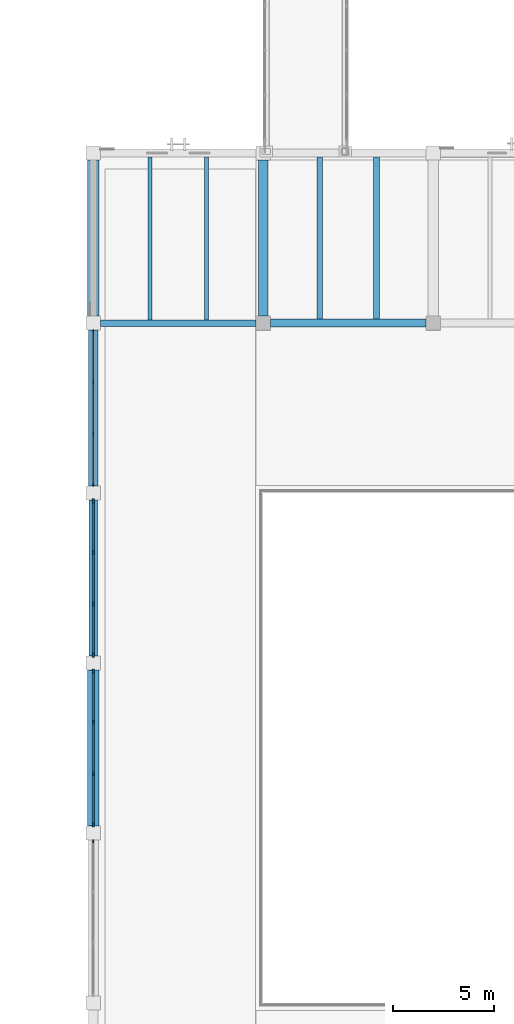
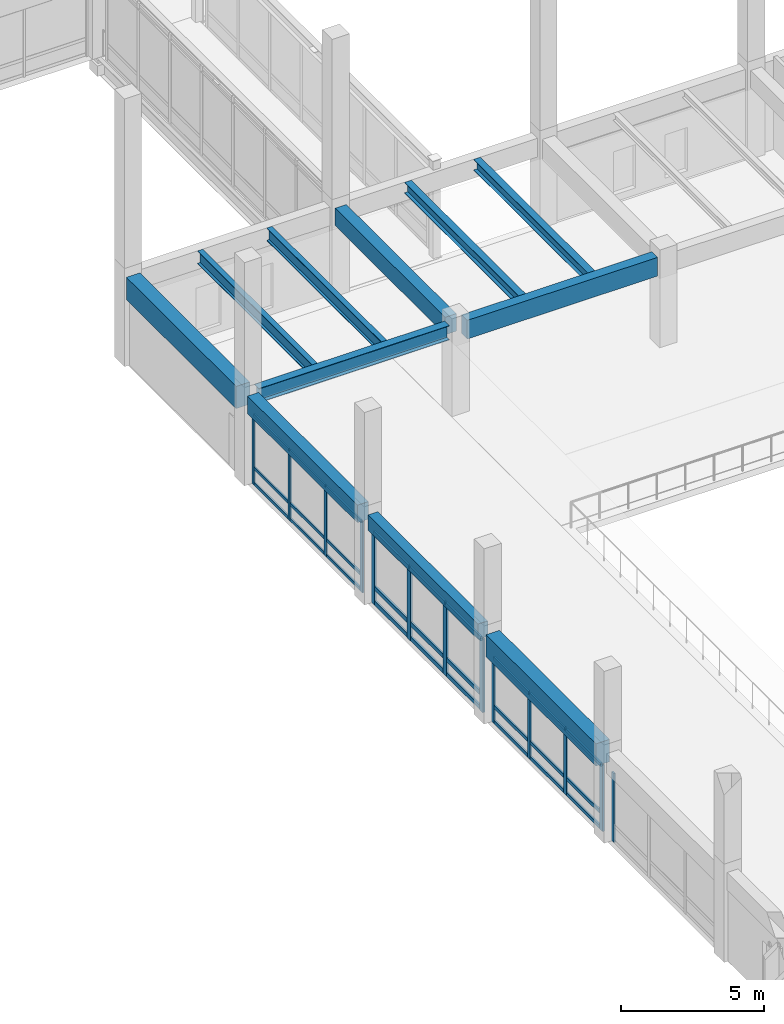
# One storey, part 54 of 132: 40 members, 11 beams, 4 elements without a shape of their own.
"""IFC4 building model written with IfcOpenShell, lengths in metres."""

from ifc_helpers import new_model, si_unit, direction, frame, origin, origin_2d, place, context, subcontext, project, spatial, rectangle, i_section, extrude, material, material_profile, profile_set, type_object, element, aggregate, save


model = new_model("IFC4")

# Units and contexts
model_context = context("Model", 3, precision=1e-05, world=origin(), true_north=direction((0.0, 1.0)))
body_context = subcontext(model_context, "Body", "Model", "MODEL_VIEW")
ifc_project = project(units=[si_unit("LENGTHUNIT", "METRE"), si_unit("AREAUNIT", "SQUARE_METRE"), si_unit("VOLUMEUNIT", "CUBIC_METRE"), si_unit("PLANEANGLEUNIT", "RADIAN"), si_unit("MASSUNIT", "GRAM", prefix="KILO")], contexts=[model_context])

# Site, building, storey
site_placement = place(None, origin())
site = spatial("IfcSite", under=ifc_project, at=site_placement, CompositionType="ELEMENT")
building_placement = place(site_placement, origin())
building = spatial("IfcBuilding", under=site, at=building_placement, Name="Cumbredor Promenade Congress Hotel", CompositionType="ELEMENT")
storey_placement = place(building_placement, frame((0.0, 0.0, 7.56005859375)))
storey = spatial("IfcBuildingStorey", under=building, at=storey_placement, Name="L02", CompositionType="ELEMENT", Elevation=7.56005859375)

# Beams
ifc_material_1 = material(Name="Concrete C40/50", Category="concrete")
ifc_material_profile_1 = material_profile(ifc_material_1, rectangle(XDim=0.39990234375, YDim=0.64990234375, at=origin_2d()), Name="RC BEAM 400x650")
ifc_profile_set_1 = profile_set([ifc_material_profile_1], Name="Concrete C40/50")
beam_type_1 = type_object("IfcBeamType", Name="BM-RC-400x650", PredefinedType="BEAM", material=ifc_profile_set_1)
beam_1_placement = place(storey_placement, frame((142.800048828125, 42.35009765625, 3.474853515625), z_axis=(0.0, 1.0, 0.0), x_axis=(-1.0, 0.0, 0.0)))
element("IfcBeam", 1, at=beam_1_placement, inside=storey, type_object=beam_type_1, Name="L03 Y-Grid Beam 192", PredefinedType="BEAM", context=body_context, shape_type="SweptSolid", body=[
    extrude(rectangle(XDim=0.39990234375, YDim=0.64990234375, at=origin_2d()), origin(), (0.0, 0.0, 1.0), 7.699951171875),
])
ifc_material_profile_2 = material_profile(ifc_material_1, rectangle(XDim=0.449951171875, YDim=0.75, at=origin_2d()), Name="RC BEAM 450x750")
ifc_profile_set_2 = profile_set([ifc_material_profile_2], Name="Concrete C40/50")
beam_type_2 = type_object("IfcBeamType", Name="BM-RC-450x750", PredefinedType="BEAM", material=ifc_profile_set_2)
beam_2_placement = place(storey_placement, frame((142.800048828125, 50.75, 3.425048828125), z_axis=(0.0, 1.0, 0.0), x_axis=(-1.0, 0.0, 0.0)))
element("IfcBeam", 2, at=beam_2_placement, inside=storey, type_object=beam_type_2, Name="L03 Y-Grid Beam 193", PredefinedType="BEAM", context=body_context, shape_type="SweptSolid", body=[
    extrude(rectangle(XDim=0.449951171875, YDim=0.75, at=origin_2d()), origin(), (0.0, 0.0, 1.0), 7.699951171875),
])
beam_3_placement = place(storey_placement, frame((151.199951171875, 59.14990234375, 3.425048828125), z_axis=(0.0, 1.0, 0.0), x_axis=(-1.0, 0.0, 0.0)))
element("IfcBeam", 3, at=beam_3_placement, inside=storey, type_object=beam_type_2, Name="L03 Y-Grid Beam 205", PredefinedType="BEAM", context=body_context, shape_type="SweptSolid", body=[
    extrude(rectangle(XDim=0.449951171875, YDim=0.75, at=origin_2d()), origin(), (0.0, 0.0, 1.0), 7.7001953125),
])
ifc_material_profile_3 = material_profile(ifc_material_1, rectangle(XDim=0.550048828125, YDim=0.949951171875, at=origin_2d()), Name="RC BEAM 550x950")
ifc_profile_set_3 = profile_set([ifc_material_profile_3], Name="Concrete C40/50")
beam_type_3 = type_object("IfcBeamType", Name="BM-RC-550x950", PredefinedType="BEAM", material=ifc_profile_set_3)
beam_4_placement = place(storey_placement, frame((142.800048828125, 33.949951171875, 3.324951171875), z_axis=(0.0, 1.0, 0.0), x_axis=(-1.0, 0.0, 0.0)))
element("IfcBeam", 4, at=beam_4_placement, inside=storey, type_object=beam_type_3, Name="L03 Y-Grid Beam 191", PredefinedType="BEAM", context=body_context, shape_type="SweptSolid", body=[
    extrude(rectangle(XDim=0.550048828125, YDim=0.949951171875, at=origin_2d()), origin(), (0.0, 0.0, 1.0), 7.699951171875),
])
beam_5_placement = place(storey_placement, frame((142.800048828125, 59.14990234375, 3.324951171875), z_axis=(0.0, 1.0, 0.0), x_axis=(-1.0, 0.0, 0.0)))
element("IfcBeam", 5, at=beam_5_placement, inside=storey, type_object=beam_type_3, Name="L03 Y-Grid Beam 195", PredefinedType="BEAM", context=body_context, shape_type="SweptSolid", body=[
    extrude(rectangle(XDim=0.550048828125, YDim=0.949951171875, at=origin_2d()), origin(), (0.0, 0.0, 1.0), 7.7001953125),
])
ifc_material_2 = material(Name="Steel ASTM A992 Grade 50", Category="steel")
ifc_material_profile_4 = material_profile(ifc_material_2, i_section(OverallWidth=0.323974609375, OverallDepth=0.611083984375, WebThickness=0.0126953125, FlangeThickness=0.01904296875, at=origin_2d()), Name="W24X104")
ifc_profile_set_4 = profile_set([ifc_material_profile_4], Name="Steel ASTM A992 Grade 50")
beam_type_4 = type_object("IfcBeamType", Name="BM-W24X104", PredefinedType="BEAM", material=ifc_profile_set_4)
beam_6_placement = place(storey_placement, frame((143.14990234375, 58.800048828125, 3.494384765625), z_axis=(1.0, 0.0, 0.0), x_axis=(0.0, 1.0, 0.0)))
element("IfcBeam", 6, at=beam_6_placement, inside=storey, type_object=beam_type_4, Name="L03 X-Grid Beam 194", PredefinedType="BEAM", context=body_context, shape_type="SweptSolid", body=[
    extrude(i_section(OverallWidth=0.323974609375, OverallDepth=0.611083984375, WebThickness=0.0126953125, FlangeThickness=0.01904296875, at=origin_2d()), origin(), (0.0, 0.0, 1.0), 7.7001953125),
])

# Curtain wall, member
ifc_material_3 = material(Name="Thermally broken anodized aluminium and low-E glass", Category="aluminium")
curtain_wall_type = type_object("IfcCurtainWallType", Name="Unitised Bronze Curtain Wall CW-01", PredefinedType="NOTDEFINED", material=ifc_material_3)
curtain_wall_1_placement = place(storey_placement, origin())
curtain_wall_1 = element("IfcCurtainWall", 7, at=curtain_wall_1_placement, inside=storey, type_object=curtain_wall_type, Name="L02 Grand Ballroom Pavilion West Curtain Wall 3", PredefinedType="NOTDEFINED")
ifc_material_4 = material(Name="Thermally broken anodized aluminium", Category="aluminium")
ifc_material_profile_5 = material_profile(ifc_material_4, rectangle(XDim=0.06494140625, YDim=0.159912109375, at=origin_2d()), Name="ALU MULLION 65x160")
ifc_profile_set_5 = profile_set([ifc_material_profile_5], Name="Thermally broken anodized aluminium")
member_type_1 = type_object("IfcMemberType", Name="Curtain Wall Mullion ML-01", PredefinedType="MULLION", material=ifc_profile_set_5)
member_1_placement = place(storey_placement, frame((142.800048828125, 33.195068359375, -0.008056640625), z_axis=(0.0, 0.0, 1.0), x_axis=(1.0, 0.0, 0.0)))
member_1 = element("IfcMember", 8, at=member_1_placement, type_object=member_type_1, Name="L02 Grand Ballroom Pavilion West Curtain Wall 3 Mullion 4", PredefinedType="MULLION", context=body_context, shape_type="SweptSolid", body=[
    extrude(rectangle(XDim=0.06494140625, YDim=0.159912109375, at=origin_2d()), origin(), (0.0, 0.0, 1.0), 2.950927734375),
])
aggregate(curtain_wall_1, [member_1])

# Curtain wall, members
curtain_wall_2_placement = place(storey_placement, origin())
curtain_wall_2 = element("IfcCurtainWall", 9, at=curtain_wall_2_placement, inside=storey, type_object=curtain_wall_type, Name="L02 Grand Ballroom Pavilion West Curtain Wall 6", PredefinedType="NOTDEFINED")
member_2_placement = place(storey_placement, frame((142.800048828125, 50.804931640625, -0.008056640625), z_axis=(0.0, 0.0, 1.0), x_axis=(1.0, 0.0, 0.0)))
member_2 = element("IfcMember", 10, at=member_2_placement, type_object=member_type_1, Name="L02 Grand Ballroom Pavilion West Curtain Wall 6 Mullion 1", PredefinedType="MULLION", context=body_context, shape_type="SweptSolid", body=[
    extrude(rectangle(XDim=0.06494140625, YDim=0.159912109375, at=origin_2d()), origin(), (0.0, 0.0, 1.0), 3.051025390625),
])
member_3_placement = place(storey_placement, frame((142.800048828125, 53.3349609375, -0.008056640625), z_axis=(0.0, 0.0, 1.0), x_axis=(1.0, 0.0, 0.0)))
member_3 = element("IfcMember", 11, at=member_3_placement, type_object=member_type_1, Name="L02 Grand Ballroom Pavilion West Curtain Wall 6 Mullion 2", PredefinedType="MULLION", context=body_context, shape_type="SweptSolid", body=[
    extrude(rectangle(XDim=0.06494140625, YDim=0.159912109375, at=origin_2d()), origin(), (0.0, 0.0, 1.0), 3.051025390625),
])
member_4_placement = place(storey_placement, frame((142.800048828125, 55.864990234375, -0.008056640625), z_axis=(0.0, 0.0, 1.0), x_axis=(1.0, 0.0, 0.0)))
member_4 = element("IfcMember", 12, at=member_4_placement, type_object=member_type_1, Name="L02 Grand Ballroom Pavilion West Curtain Wall 6 Mullion 3", PredefinedType="MULLION", context=body_context, shape_type="SweptSolid", body=[
    extrude(rectangle(XDim=0.06494140625, YDim=0.159912109375, at=origin_2d()), origin(), (0.0, 0.0, 1.0), 3.051025390625),
])
member_5_placement = place(storey_placement, frame((142.800048828125, 58.39501953125, -0.008056640625), z_axis=(0.0, 0.0, 1.0), x_axis=(1.0, 0.0, 0.0)))
member_5 = element("IfcMember", 13, at=member_5_placement, type_object=member_type_1, Name="L02 Grand Ballroom Pavilion West Curtain Wall 6 Mullion 4", PredefinedType="MULLION", context=body_context, shape_type="SweptSolid", body=[
    extrude(rectangle(XDim=0.06494140625, YDim=0.159912109375, at=origin_2d()), origin(), (0.0, 0.0, 1.0), 3.051025390625),
])

curtain_wall_3_placement = place(storey_placement, origin())
curtain_wall_3 = element("IfcCurtainWall", 14, at=curtain_wall_3_placement, inside=storey, type_object=curtain_wall_type, Name="L02 Grand Ballroom Pavilion West Curtain Wall 4", PredefinedType="NOTDEFINED")
ifc_material_profile_6 = material_profile(ifc_material_4, rectangle(XDim=0.074951171875, YDim=0.199951171875, at=origin_2d()), Name="ALU MULLION 75x200")
ifc_profile_set_6 = profile_set([ifc_material_profile_6], Name="Thermally broken anodized aluminium")
member_type_2 = type_object("IfcMemberType", Name="Curtain Wall Mullion ML-02", PredefinedType="MULLION", material=ifc_profile_set_6)
member_6_placement = place(storey_placement, frame((142.800048828125, 34.0048828125, -0.008056640625), z_axis=(0.0, 0.0, 1.0), x_axis=(1.0, 0.0, 0.0)))
member_6 = element("IfcMember", 15, at=member_6_placement, type_object=member_type_2, Name="L02 Grand Ballroom Pavilion West Curtain Wall 4 Mullion 1", PredefinedType="MULLION", context=body_context, shape_type="SweptSolid", body=[
    extrude(rectangle(XDim=0.074951171875, YDim=0.199951171875, at=origin_2d()), origin(), (0.0, 0.0, 1.0), 2.85107421875),
])
member_7_placement = place(storey_placement, frame((142.800048828125, 36.534912109375, -0.008056640625), z_axis=(0.0, 0.0, 1.0), x_axis=(1.0, 0.0, 0.0)))
member_7 = element("IfcMember", 16, at=member_7_placement, type_object=member_type_2, Name="L02 Grand Ballroom Pavilion West Curtain Wall 4 Mullion 2", PredefinedType="MULLION", context=body_context, shape_type="SweptSolid", body=[
    extrude(rectangle(XDim=0.074951171875, YDim=0.199951171875, at=origin_2d()), origin(), (0.0, 0.0, 1.0), 2.85107421875),
])
member_8_placement = place(storey_placement, frame((142.800048828125, 39.06494140625, -0.008056640625), z_axis=(0.0, 0.0, 1.0), x_axis=(1.0, 0.0, 0.0)))
member_8 = element("IfcMember", 17, at=member_8_placement, type_object=member_type_2, Name="L02 Grand Ballroom Pavilion West Curtain Wall 4 Mullion 3", PredefinedType="MULLION", context=body_context, shape_type="SweptSolid", body=[
    extrude(rectangle(XDim=0.074951171875, YDim=0.199951171875, at=origin_2d()), origin(), (0.0, 0.0, 1.0), 2.85107421875),
])
member_9_placement = place(storey_placement, frame((142.800048828125, 41.594970703125, -0.008056640625), z_axis=(0.0, 0.0, 1.0), x_axis=(1.0, 0.0, 0.0)))
member_9 = element("IfcMember", 18, at=member_9_placement, type_object=member_type_2, Name="L02 Grand Ballroom Pavilion West Curtain Wall 4 Mullion 4", PredefinedType="MULLION", context=body_context, shape_type="SweptSolid", body=[
    extrude(rectangle(XDim=0.074951171875, YDim=0.199951171875, at=origin_2d()), origin(), (0.0, 0.0, 1.0), 2.85107421875),
])

curtain_wall_4_placement = place(storey_placement, origin())
curtain_wall_4 = element("IfcCurtainWall", 19, at=curtain_wall_4_placement, inside=storey, type_object=curtain_wall_type, Name="L02 Grand Ballroom Pavilion West Curtain Wall 5", PredefinedType="NOTDEFINED")
ifc_material_profile_7 = material_profile(ifc_material_4, rectangle(XDim=0.080078125, YDim=0.239990234375, at=origin_2d()), Name="ALU MULLION 80x240")
ifc_profile_set_7 = profile_set([ifc_material_profile_7], Name="Thermally broken anodized aluminium")
member_type_3 = type_object("IfcMemberType", Name="Curtain Wall Mullion ML-03", PredefinedType="MULLION", material=ifc_profile_set_7)
member_10_placement = place(storey_placement, frame((142.800048828125, 42.405029296875, -0.008056640625), z_axis=(0.0, 0.0, 1.0), x_axis=(1.0, 0.0, 0.0)))
member_10 = element("IfcMember", 20, at=member_10_placement, type_object=member_type_3, Name="L02 Grand Ballroom Pavilion West Curtain Wall 5 Mullion 1", PredefinedType="MULLION", context=body_context, shape_type="SweptSolid", body=[
    extrude(rectangle(XDim=0.080078125, YDim=0.239990234375, at=origin_2d()), origin(), (0.0, 0.0, 1.0), 3.15087890625),
])
member_11_placement = place(storey_placement, frame((142.800048828125, 44.93505859375, -0.008056640625), z_axis=(0.0, 0.0, 1.0), x_axis=(1.0, 0.0, 0.0)))
member_11 = element("IfcMember", 21, at=member_11_placement, type_object=member_type_3, Name="L02 Grand Ballroom Pavilion West Curtain Wall 5 Mullion 2", PredefinedType="MULLION", context=body_context, shape_type="SweptSolid", body=[
    extrude(rectangle(XDim=0.080078125, YDim=0.239990234375, at=origin_2d()), origin(), (0.0, 0.0, 1.0), 3.15087890625),
])
member_12_placement = place(storey_placement, frame((142.800048828125, 47.465087890625, -0.008056640625), z_axis=(0.0, 0.0, 1.0), x_axis=(1.0, 0.0, 0.0)))
member_12 = element("IfcMember", 22, at=member_12_placement, type_object=member_type_3, Name="L02 Grand Ballroom Pavilion West Curtain Wall 5 Mullion 3", PredefinedType="MULLION", context=body_context, shape_type="SweptSolid", body=[
    extrude(rectangle(XDim=0.080078125, YDim=0.239990234375, at=origin_2d()), origin(), (0.0, 0.0, 1.0), 3.15087890625),
])
member_13_placement = place(storey_placement, frame((142.800048828125, 49.9951171875, -0.008056640625), z_axis=(0.0, 0.0, 1.0), x_axis=(1.0, 0.0, 0.0)))
member_13 = element("IfcMember", 23, at=member_13_placement, type_object=member_type_3, Name="L02 Grand Ballroom Pavilion West Curtain Wall 5 Mullion 4", PredefinedType="MULLION", context=body_context, shape_type="SweptSolid", body=[
    extrude(rectangle(XDim=0.080078125, YDim=0.239990234375, at=origin_2d()), origin(), (0.0, 0.0, 1.0), 3.15087890625),
])

# Member
ifc_material_profile_8 = material_profile(ifc_material_4, rectangle(XDim=0.06494140625, YDim=0.1298828125, at=origin_2d()), Name="ALU TRANSOM 65x130")
ifc_profile_set_8 = profile_set([ifc_material_profile_8], Name="Thermally broken anodized aluminium")
member_type_4 = type_object("IfcMemberType", Name="Curtain Wall Transom TR-01", PredefinedType="USERDEFINED", material=ifc_profile_set_8)
member_14_placement = place(storey_placement, frame((142.800048828125, 50.83740234375, 0.06005859375), z_axis=(0.0, 1.0, 0.0), x_axis=(-1.0, 0.0, 0.0)))
member_14 = element("IfcMember", 24, at=member_14_placement, type_object=member_type_4, Name="L02 Grand Ballroom Pavilion West Curtain Wall 6 Transom 1.1", ObjectType="TRANSOM", PredefinedType="USERDEFINED", context=body_context, shape_type="SweptSolid", body=[
    extrude(rectangle(XDim=0.06494140625, YDim=0.1298828125, at=origin_2d()), origin(), (0.0, 0.0, 1.0), 2.465087890625),
])

member_15_placement = place(storey_placement, frame((142.800048828125, 50.83740234375, 0.719970703125), z_axis=(0.0, 1.0, 0.0), x_axis=(-1.0, 0.0, 0.0)))
member_15 = element("IfcMember", 25, at=member_15_placement, type_object=member_type_4, Name="L02 Grand Ballroom Pavilion West Curtain Wall 6 Transom 1.2", ObjectType="TRANSOM", PredefinedType="USERDEFINED", context=body_context, shape_type="SweptSolid", body=[
    extrude(rectangle(XDim=0.06494140625, YDim=0.1298828125, at=origin_2d()), origin(), (0.0, 0.0, 1.0), 2.465087890625),
])

member_16_placement = place(storey_placement, frame((142.800048828125, 50.83740234375, 2.969970703125), z_axis=(0.0, 1.0, 0.0), x_axis=(-1.0, 0.0, 0.0)))
member_16 = element("IfcMember", 26, at=member_16_placement, type_object=member_type_4, Name="L02 Grand Ballroom Pavilion West Curtain Wall 6 Transom 1.3", ObjectType="TRANSOM", PredefinedType="USERDEFINED", context=body_context, shape_type="SweptSolid", body=[
    extrude(rectangle(XDim=0.06494140625, YDim=0.1298828125, at=origin_2d()), origin(), (0.0, 0.0, 1.0), 2.465087890625),
])

member_17_placement = place(storey_placement, frame((142.800048828125, 53.367431640625, 0.06005859375), z_axis=(0.0, 1.0, 0.0), x_axis=(-1.0, 0.0, 0.0)))
member_17 = element("IfcMember", 27, at=member_17_placement, type_object=member_type_4, Name="L02 Grand Ballroom Pavilion West Curtain Wall 6 Transom 2.1", ObjectType="TRANSOM", PredefinedType="USERDEFINED", context=body_context, shape_type="SweptSolid", body=[
    extrude(rectangle(XDim=0.06494140625, YDim=0.1298828125, at=origin_2d()), origin(), (0.0, 0.0, 1.0), 2.465087890625),
])

member_18_placement = place(storey_placement, frame((142.800048828125, 53.367431640625, 0.719970703125), z_axis=(0.0, 1.0, 0.0), x_axis=(-1.0, 0.0, 0.0)))
member_18 = element("IfcMember", 28, at=member_18_placement, type_object=member_type_4, Name="L02 Grand Ballroom Pavilion West Curtain Wall 6 Transom 2.2", ObjectType="TRANSOM", PredefinedType="USERDEFINED", context=body_context, shape_type="SweptSolid", body=[
    extrude(rectangle(XDim=0.06494140625, YDim=0.1298828125, at=origin_2d()), origin(), (0.0, 0.0, 1.0), 2.465087890625),
])

member_19_placement = place(storey_placement, frame((142.800048828125, 53.367431640625, 2.969970703125), z_axis=(0.0, 1.0, 0.0), x_axis=(-1.0, 0.0, 0.0)))
member_19 = element("IfcMember", 29, at=member_19_placement, type_object=member_type_4, Name="L02 Grand Ballroom Pavilion West Curtain Wall 6 Transom 2.3", ObjectType="TRANSOM", PredefinedType="USERDEFINED", context=body_context, shape_type="SweptSolid", body=[
    extrude(rectangle(XDim=0.06494140625, YDim=0.1298828125, at=origin_2d()), origin(), (0.0, 0.0, 1.0), 2.465087890625),
])

member_20_placement = place(storey_placement, frame((142.800048828125, 55.8974609375, 0.06005859375), z_axis=(0.0, 1.0, 0.0), x_axis=(-1.0, 0.0, 0.0)))
member_20 = element("IfcMember", 30, at=member_20_placement, type_object=member_type_4, Name="L02 Grand Ballroom Pavilion West Curtain Wall 6 Transom 3.1", ObjectType="TRANSOM", PredefinedType="USERDEFINED", context=body_context, shape_type="SweptSolid", body=[
    extrude(rectangle(XDim=0.06494140625, YDim=0.1298828125, at=origin_2d()), origin(), (0.0, 0.0, 1.0), 2.465087890625),
])

member_21_placement = place(storey_placement, frame((142.800048828125, 55.8974609375, 0.719970703125), z_axis=(0.0, 1.0, 0.0), x_axis=(-1.0, 0.0, 0.0)))
member_21 = element("IfcMember", 31, at=member_21_placement, type_object=member_type_4, Name="L02 Grand Ballroom Pavilion West Curtain Wall 6 Transom 3.2", ObjectType="TRANSOM", PredefinedType="USERDEFINED", context=body_context, shape_type="SweptSolid", body=[
    extrude(rectangle(XDim=0.06494140625, YDim=0.1298828125, at=origin_2d()), origin(), (0.0, 0.0, 1.0), 2.465087890625),
])

member_22_placement = place(storey_placement, frame((142.800048828125, 55.8974609375, 2.969970703125), z_axis=(0.0, 1.0, 0.0), x_axis=(-1.0, 0.0, 0.0)))
member_22 = element("IfcMember", 32, at=member_22_placement, type_object=member_type_4, Name="L02 Grand Ballroom Pavilion West Curtain Wall 6 Transom 3.3", ObjectType="TRANSOM", PredefinedType="USERDEFINED", context=body_context, shape_type="SweptSolid", body=[
    extrude(rectangle(XDim=0.06494140625, YDim=0.1298828125, at=origin_2d()), origin(), (0.0, 0.0, 1.0), 2.465087890625),
])

aggregate(curtain_wall_2, [member_2, member_3, member_4, member_5, member_14, member_15, member_16, member_17, member_18, member_19, member_20, member_21, member_22])

ifc_material_profile_9 = material_profile(ifc_material_4, rectangle(XDim=0.074951171875, YDim=0.14990234375, at=origin_2d()), Name="ALU TRANSOM 75x150")
ifc_profile_set_9 = profile_set([ifc_material_profile_9], Name="Thermally broken anodized aluminium")
member_type_5 = type_object("IfcMemberType", Name="Curtain Wall Transom TR-02", PredefinedType="USERDEFINED", material=ifc_profile_set_9)
member_23_placement = place(storey_placement, frame((142.800048828125, 34.04248046875, 0.06982421875), z_axis=(0.0, 1.0, 0.0), x_axis=(-1.0, 0.0, 0.0)))
member_23 = element("IfcMember", 33, at=member_23_placement, type_object=member_type_5, Name="L02 Grand Ballroom Pavilion West Curtain Wall 4 Transom 1.1", ObjectType="TRANSOM", PredefinedType="USERDEFINED", context=body_context, shape_type="SweptSolid", body=[
    extrude(rectangle(XDim=0.074951171875, YDim=0.14990234375, at=origin_2d()), origin(), (0.0, 0.0, 1.0), 2.455078125),
])

member_24_placement = place(storey_placement, frame((142.800048828125, 34.04248046875, 0.719970703125), z_axis=(0.0, 1.0, 0.0), x_axis=(-1.0, 0.0, 0.0)))
member_24 = element("IfcMember", 34, at=member_24_placement, type_object=member_type_5, Name="L02 Grand Ballroom Pavilion West Curtain Wall 4 Transom 1.2", ObjectType="TRANSOM", PredefinedType="USERDEFINED", context=body_context, shape_type="SweptSolid", body=[
    extrude(rectangle(XDim=0.074951171875, YDim=0.14990234375, at=origin_2d()), origin(), (0.0, 0.0, 1.0), 2.455078125),
])

member_25_placement = place(storey_placement, frame((142.800048828125, 34.04248046875, 2.760009765625), z_axis=(0.0, 1.0, 0.0), x_axis=(-1.0, 0.0, 0.0)))
member_25 = element("IfcMember", 35, at=member_25_placement, type_object=member_type_5, Name="L02 Grand Ballroom Pavilion West Curtain Wall 4 Transom 1.3", ObjectType="TRANSOM", PredefinedType="USERDEFINED", context=body_context, shape_type="SweptSolid", body=[
    extrude(rectangle(XDim=0.074951171875, YDim=0.14990234375, at=origin_2d()), origin(), (0.0, 0.0, 1.0), 2.455078125),
])

member_26_placement = place(storey_placement, frame((142.800048828125, 36.572509765625, 0.06982421875), z_axis=(0.0, 1.0, 0.0), x_axis=(-1.0, 0.0, 0.0)))
member_26 = element("IfcMember", 36, at=member_26_placement, type_object=member_type_5, Name="L02 Grand Ballroom Pavilion West Curtain Wall 4 Transom 2.1", ObjectType="TRANSOM", PredefinedType="USERDEFINED", context=body_context, shape_type="SweptSolid", body=[
    extrude(rectangle(XDim=0.074951171875, YDim=0.14990234375, at=origin_2d()), origin(), (0.0, 0.0, 1.0), 2.455078125),
])

member_27_placement = place(storey_placement, frame((142.800048828125, 36.572509765625, 0.719970703125), z_axis=(0.0, 1.0, 0.0), x_axis=(-1.0, 0.0, 0.0)))
member_27 = element("IfcMember", 37, at=member_27_placement, type_object=member_type_5, Name="L02 Grand Ballroom Pavilion West Curtain Wall 4 Transom 2.2", ObjectType="TRANSOM", PredefinedType="USERDEFINED", context=body_context, shape_type="SweptSolid", body=[
    extrude(rectangle(XDim=0.074951171875, YDim=0.14990234375, at=origin_2d()), origin(), (0.0, 0.0, 1.0), 2.455078125),
])

member_28_placement = place(storey_placement, frame((142.800048828125, 36.572509765625, 2.760009765625), z_axis=(0.0, 1.0, 0.0), x_axis=(-1.0, 0.0, 0.0)))
member_28 = element("IfcMember", 38, at=member_28_placement, type_object=member_type_5, Name="L02 Grand Ballroom Pavilion West Curtain Wall 4 Transom 2.3", ObjectType="TRANSOM", PredefinedType="USERDEFINED", context=body_context, shape_type="SweptSolid", body=[
    extrude(rectangle(XDim=0.074951171875, YDim=0.14990234375, at=origin_2d()), origin(), (0.0, 0.0, 1.0), 2.455078125),
])

member_29_placement = place(storey_placement, frame((142.800048828125, 39.1025390625, 0.06982421875), z_axis=(0.0, 1.0, 0.0), x_axis=(-1.0, 0.0, 0.0)))
member_29 = element("IfcMember", 39, at=member_29_placement, type_object=member_type_5, Name="L02 Grand Ballroom Pavilion West Curtain Wall 4 Transom 3.1", ObjectType="TRANSOM", PredefinedType="USERDEFINED", context=body_context, shape_type="SweptSolid", body=[
    extrude(rectangle(XDim=0.074951171875, YDim=0.14990234375, at=origin_2d()), origin(), (0.0, 0.0, 1.0), 2.455078125),
])

member_30_placement = place(storey_placement, frame((142.800048828125, 39.1025390625, 0.719970703125), z_axis=(0.0, 1.0, 0.0), x_axis=(-1.0, 0.0, 0.0)))
member_30 = element("IfcMember", 40, at=member_30_placement, type_object=member_type_5, Name="L02 Grand Ballroom Pavilion West Curtain Wall 4 Transom 3.2", ObjectType="TRANSOM", PredefinedType="USERDEFINED", context=body_context, shape_type="SweptSolid", body=[
    extrude(rectangle(XDim=0.074951171875, YDim=0.14990234375, at=origin_2d()), origin(), (0.0, 0.0, 1.0), 2.455078125),
])

member_31_placement = place(storey_placement, frame((142.800048828125, 39.1025390625, 2.760009765625), z_axis=(0.0, 1.0, 0.0), x_axis=(-1.0, 0.0, 0.0)))
member_31 = element("IfcMember", 41, at=member_31_placement, type_object=member_type_5, Name="L02 Grand Ballroom Pavilion West Curtain Wall 4 Transom 3.3", ObjectType="TRANSOM", PredefinedType="USERDEFINED", context=body_context, shape_type="SweptSolid", body=[
    extrude(rectangle(XDim=0.074951171875, YDim=0.14990234375, at=origin_2d()), origin(), (0.0, 0.0, 1.0), 2.455078125),
])

aggregate(curtain_wall_3, [member_6, member_7, member_8, member_9, member_23, member_24, member_25, member_26, member_27, member_28, member_29, member_30, member_31])

ifc_material_profile_10 = material_profile(ifc_material_4, rectangle(XDim=0.080078125, YDim=0.179931640625, at=origin_2d()), Name="ALU TRANSOM 80x180")
ifc_profile_set_10 = profile_set([ifc_material_profile_10], Name="Thermally broken anodized aluminium")
member_type_6 = type_object("IfcMemberType", Name="Curtain Wall Transom TR-03", PredefinedType="USERDEFINED", material=ifc_profile_set_10)
member_32_placement = place(storey_placement, frame((142.800048828125, 42.445068359375, 0.08984375), z_axis=(0.0, 1.0, 0.0), x_axis=(-1.0, 0.0, 0.0)))
member_32 = element("IfcMember", 42, at=member_32_placement, type_object=member_type_6, Name="L02 Grand Ballroom Pavilion West Curtain Wall 5 Transom 1.1", ObjectType="TRANSOM", PredefinedType="USERDEFINED", context=body_context, shape_type="SweptSolid", body=[
    extrude(rectangle(XDim=0.080078125, YDim=0.179931640625, at=origin_2d()), origin(), (0.0, 0.0, 1.0), 2.449951171875),
])

member_33_placement = place(storey_placement, frame((142.800048828125, 42.445068359375, 0.719970703125), z_axis=(0.0, 1.0, 0.0), x_axis=(-1.0, 0.0, 0.0)))
member_33 = element("IfcMember", 43, at=member_33_placement, type_object=member_type_6, Name="L02 Grand Ballroom Pavilion West Curtain Wall 5 Transom 1.2", ObjectType="TRANSOM", PredefinedType="USERDEFINED", context=body_context, shape_type="SweptSolid", body=[
    extrude(rectangle(XDim=0.080078125, YDim=0.179931640625, at=origin_2d()), origin(), (0.0, 0.0, 1.0), 2.449951171875),
])

member_34_placement = place(storey_placement, frame((142.800048828125, 42.445068359375, 3.050048828125), z_axis=(0.0, 1.0, 0.0), x_axis=(-1.0, 0.0, 0.0)))
member_34 = element("IfcMember", 44, at=member_34_placement, type_object=member_type_6, Name="L02 Grand Ballroom Pavilion West Curtain Wall 5 Transom 1.3", ObjectType="TRANSOM", PredefinedType="USERDEFINED", context=body_context, shape_type="SweptSolid", body=[
    extrude(rectangle(XDim=0.080078125, YDim=0.179931640625, at=origin_2d()), origin(), (0.0, 0.0, 1.0), 2.449951171875),
])

member_35_placement = place(storey_placement, frame((142.800048828125, 44.97509765625, 0.08984375), z_axis=(0.0, 1.0, 0.0), x_axis=(-1.0, 0.0, 0.0)))
member_35 = element("IfcMember", 45, at=member_35_placement, type_object=member_type_6, Name="L02 Grand Ballroom Pavilion West Curtain Wall 5 Transom 2.1", ObjectType="TRANSOM", PredefinedType="USERDEFINED", context=body_context, shape_type="SweptSolid", body=[
    extrude(rectangle(XDim=0.080078125, YDim=0.179931640625, at=origin_2d()), origin(), (0.0, 0.0, 1.0), 2.449951171875),
])

member_36_placement = place(storey_placement, frame((142.800048828125, 44.97509765625, 0.719970703125), z_axis=(0.0, 1.0, 0.0), x_axis=(-1.0, 0.0, 0.0)))
member_36 = element("IfcMember", 46, at=member_36_placement, type_object=member_type_6, Name="L02 Grand Ballroom Pavilion West Curtain Wall 5 Transom 2.2", ObjectType="TRANSOM", PredefinedType="USERDEFINED", context=body_context, shape_type="SweptSolid", body=[
    extrude(rectangle(XDim=0.080078125, YDim=0.179931640625, at=origin_2d()), origin(), (0.0, 0.0, 1.0), 2.449951171875),
])

member_37_placement = place(storey_placement, frame((142.800048828125, 44.97509765625, 3.050048828125), z_axis=(0.0, 1.0, 0.0), x_axis=(-1.0, 0.0, 0.0)))
member_37 = element("IfcMember", 47, at=member_37_placement, type_object=member_type_6, Name="L02 Grand Ballroom Pavilion West Curtain Wall 5 Transom 2.3", ObjectType="TRANSOM", PredefinedType="USERDEFINED", context=body_context, shape_type="SweptSolid", body=[
    extrude(rectangle(XDim=0.080078125, YDim=0.179931640625, at=origin_2d()), origin(), (0.0, 0.0, 1.0), 2.449951171875),
])

member_38_placement = place(storey_placement, frame((142.800048828125, 47.5048828125, 0.08984375), z_axis=(0.0, 1.0, 0.0), x_axis=(-1.0, 0.0, 0.0)))
member_38 = element("IfcMember", 48, at=member_38_placement, type_object=member_type_6, Name="L02 Grand Ballroom Pavilion West Curtain Wall 5 Transom 3.1", ObjectType="TRANSOM", PredefinedType="USERDEFINED", context=body_context, shape_type="SweptSolid", body=[
    extrude(rectangle(XDim=0.080078125, YDim=0.179931640625, at=origin_2d()), origin(), (0.0, 0.0, 1.0), 2.4501953125),
])

member_39_placement = place(storey_placement, frame((142.800048828125, 47.5048828125, 0.719970703125), z_axis=(0.0, 1.0, 0.0), x_axis=(-1.0, 0.0, 0.0)))
member_39 = element("IfcMember", 49, at=member_39_placement, type_object=member_type_6, Name="L02 Grand Ballroom Pavilion West Curtain Wall 5 Transom 3.2", ObjectType="TRANSOM", PredefinedType="USERDEFINED", context=body_context, shape_type="SweptSolid", body=[
    extrude(rectangle(XDim=0.080078125, YDim=0.179931640625, at=origin_2d()), origin(), (0.0, 0.0, 1.0), 2.4501953125),
])

member_40_placement = place(storey_placement, frame((142.800048828125, 47.5048828125, 3.050048828125), z_axis=(0.0, 1.0, 0.0), x_axis=(-1.0, 0.0, 0.0)))
member_40 = element("IfcMember", 50, at=member_40_placement, type_object=member_type_6, Name="L02 Grand Ballroom Pavilion West Curtain Wall 5 Transom 3.3", ObjectType="TRANSOM", PredefinedType="USERDEFINED", context=body_context, shape_type="SweptSolid", body=[
    extrude(rectangle(XDim=0.080078125, YDim=0.179931640625, at=origin_2d()), origin(), (0.0, 0.0, 1.0), 2.4501953125),
])

aggregate(curtain_wall_4, [member_10, member_11, member_12, member_13, member_32, member_33, member_34, member_35, member_36, member_37, member_38, member_39, member_40])

# Beams
ifc_material_profile_11 = material_profile(ifc_material_2, i_section(OverallWidth=0.280029296875, OverallDepth=0.462890625, WebThickness=0.0107421875, FlangeThickness=0.017333984375, at=origin_2d()), Name="W18X76")
ifc_profile_set_11 = profile_set([ifc_material_profile_11], Name="Steel ASTM A992 Grade 50")
beam_type_5 = type_object("IfcBeamType", Name="JST-W18X76", PredefinedType="JOIST", material=ifc_profile_set_11)
for number, where, z_axis, x_axis, name in (
    (51, (154.0, 59.0, 3.568359375), (0.0, 1.0, 0.0), (-1.0, 0.0, 0.0), "L03 Secondary Floor Joist 0114"),
    (52, (156.800048828125, 59.0, 3.568359375), (0.0, 1.0, 0.0), (-1.0, 0.0, 0.0), "L03 Secondary Floor Joist 0115"),
):
    element("IfcBeam", number, at=place(storey_placement, frame(where, z_axis=z_axis, x_axis=x_axis)), inside=storey, type_object=beam_type_5, Name=name, PredefinedType="JOIST", context=body_context, shape_type="SweptSolid", body=[
        extrude(i_section(OverallWidth=0.280029296875, OverallDepth=0.462890625, WebThickness=0.0107421875, FlangeThickness=0.017333984375, at=origin_2d()), origin(), (0.0, 0.0, 1.0), 8.0),
    ])
ifc_material_profile_12 = material_profile(ifc_material_2, i_section(OverallWidth=0.214111328125, OverallDepth=0.549072265625, WebThickness=0.0146484375, FlangeThickness=0.023681640625, at=origin_2d()), Name="W21X93")
ifc_profile_set_12 = profile_set([ifc_material_profile_12], Name="Steel ASTM A992 Grade 50")
beam_type_6 = type_object("IfcBeamType", Name="JST-W21X93", PredefinedType="JOIST", material=ifc_profile_set_12)
for number, where, z_axis, x_axis, name in (
    (53, (145.60009765625, 58.9619140625, 3.525390625), (0.0, 1.0, 0.0), (-1.0, 0.0, 0.0), "L03 Secondary Floor Joist 0110"),
    (54, (148.39990234375, 58.9619140625, 3.525390625), (0.0, 1.0, 0.0), (-1.0, 0.0, 0.0), "L03 Secondary Floor Joist 0111"),
):
    element("IfcBeam", number, at=place(storey_placement, frame(where, z_axis=z_axis, x_axis=x_axis)), inside=storey, type_object=beam_type_6, Name=name, PredefinedType="JOIST", context=body_context, shape_type="SweptSolid", body=[
        extrude(i_section(OverallWidth=0.214111328125, OverallDepth=0.549072265625, WebThickness=0.0146484375, FlangeThickness=0.023681640625, at=origin_2d()), origin(), (0.0, 0.0, 1.0), 8.0380859375),
    ])
ifc_material_profile_13 = material_profile(ifc_material_1, rectangle(XDim=0.39990234375, YDim=0.800048828125, at=origin_2d()), Name="RC SPANDREL 400x800")
ifc_profile_set_13 = profile_set([ifc_material_profile_13], Name="Concrete C40/50")
beam_type_7 = type_object("IfcBeamType", Name="SP-RC-400x800", PredefinedType="SPANDREL", material=ifc_profile_set_13)
beam_7_placement = place(storey_placement, frame((151.550048828125, 58.800048828125, 3.39990234375), z_axis=(1.0, 0.0, 0.0), x_axis=(0.0, 1.0, 0.0)))
element("IfcBeam", 55, at=beam_7_placement, inside=storey, type_object=beam_type_7, Name="L03 X-Grid Beam 204", PredefinedType="SPANDREL", context=body_context, shape_type="SweptSolid", body=[
    extrude(rectangle(XDim=0.39990234375, YDim=0.800048828125, at=origin_2d()), origin(), (0.0, 0.0, 1.0), 7.699951171875),
])

save(model, "model.ifc")
